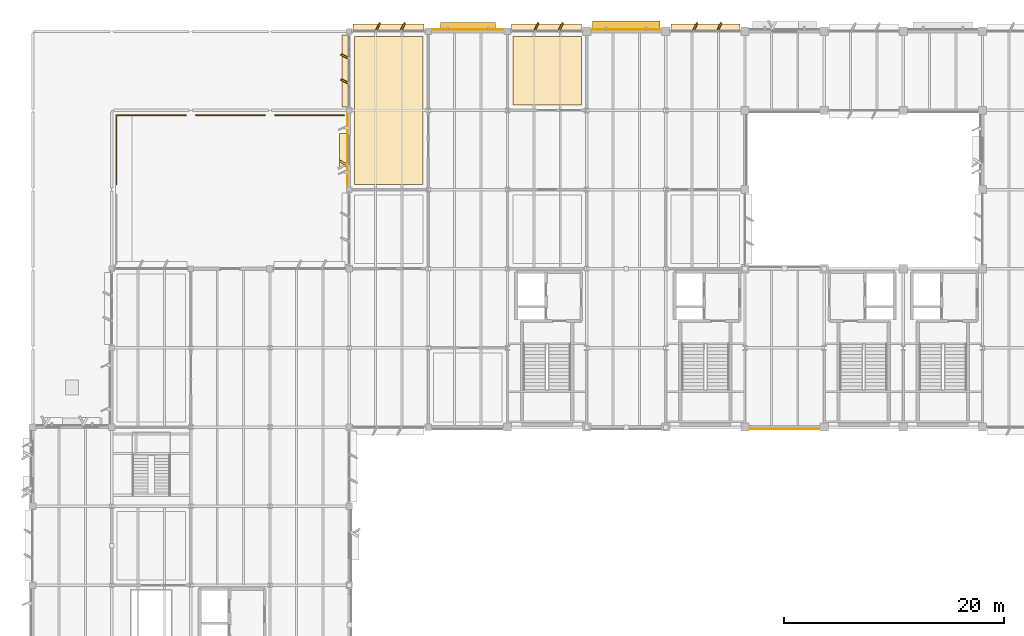
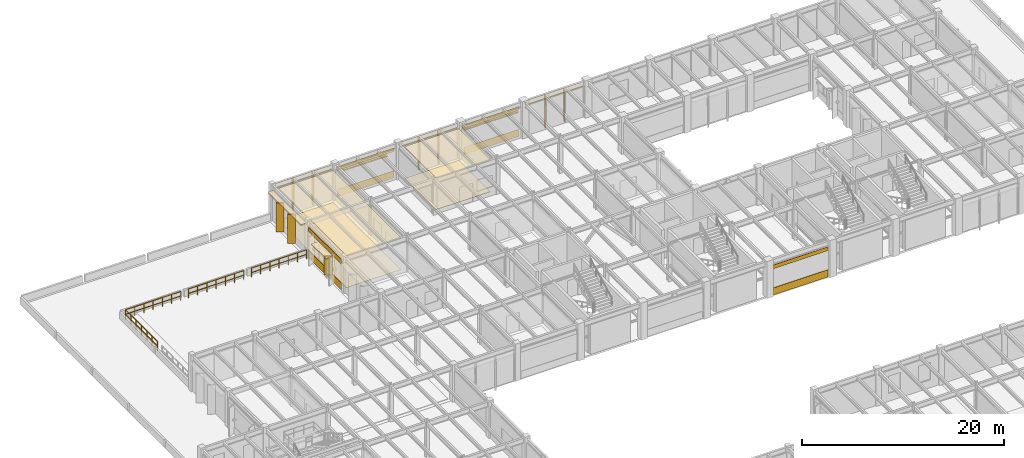
# One storey, part 88 of 92: 26 coverings, 4 railings, 2 shading devices.
"""IFC4 building model written with IfcOpenShell, lengths in metres."""

from ifc_helpers import new_model, si_unit, direction, frame, frame_2d, origin, origin_2d, place, context, subcontext, project, spatial, polyline, rectangle, circle, outline, extrude, material, layer, layer_set, type_object, element, save


model = new_model("IFC4")

# Units and contexts
model_context = context("Model", 3, precision=1e-05, world=origin(), true_north=direction((0.0, 1.0)))
body_context = subcontext(model_context, "Body", "Model", "MODEL_VIEW")
ifc_project = project(units=[si_unit("LENGTHUNIT", "METRE"), si_unit("AREAUNIT", "SQUARE_METRE"), si_unit("VOLUMEUNIT", "CUBIC_METRE"), si_unit("PLANEANGLEUNIT", "RADIAN"), si_unit("MASSUNIT", "GRAM", prefix="KILO")], contexts=[model_context])

# Site, building, storey
site_placement = place(None, origin())
site = spatial("IfcSite", under=ifc_project, at=site_placement, CompositionType="ELEMENT")
building_placement = place(site_placement, origin())
building = spatial("IfcBuilding", under=site, at=building_placement, Name="Sillqori Civic Hall", CompositionType="ELEMENT")
storey_placement = place(building_placement, frame((0.0, 0.0, 5.39990234375)))
storey = spatial("IfcBuildingStorey", under=building, at=storey_placement, Name="L02", CompositionType="ELEMENT", Elevation=5.39990234375)

# Coverings
ifc_material_1 = material(Name="Micro-Perforated Aluminium Plank Ceiling", Category="aluminium")
ifc_layer_1 = layer(ifc_material_1, 0.035888671875)
ifc_layer_set_1 = layer_set([ifc_layer_1], Name="Micro-Perforated Aluminium Plank Ceiling")
covering_type_1 = type_object("IfcCoveringType", Name="COV-CEIL-MET", PredefinedType="CEILING", material=ifc_layer_set_1)
covering_1_placement = place(storey_placement, frame((0.0, 0.0, 3.864990234375)))
element("IfcCovering", 1, at=covering_1_placement, inside=storey, type_object=covering_type_1, Name="Environmental Licensing Review Office acoustic ceiling", PredefinedType="CEILING", context=body_context, shape_type="SweptSolid", body=[
    extrude(outline(polyline([(36.47998046875, 101.280029296875), (42.719970703125, 101.280029296875), (42.719970703125, 114.719970703125), (36.47998046875, 114.719970703125), (36.47998046875, 101.280029296875)])), origin(), (0.0, 0.0, 1.0), 0.0361328125),
])
ifc_material_2 = material(Name="Andean Cedar Slatted Baffle 52", Category="timber")
ifc_layer_2 = layer(ifc_material_2, 0.052001953125)
ifc_layer_set_2 = layer_set([ifc_layer_2], Name="Andean Cedar Slatted Baffle 52")
covering_type_2 = type_object("IfcCoveringType", Name="COV-CEIL-T52", PredefinedType="CEILING", material=ifc_layer_set_2)
covering_2_placement = place(storey_placement, frame((0.0, 0.0, 3.84912109375)))
element("IfcCovering", 2, at=covering_2_placement, inside=storey, type_object=covering_type_2, Name="Municipal Cadastre GIS Mapping Studio L02-06 acoustic ceiling", PredefinedType="CEILING", context=body_context, shape_type="SweptSolid", body=[
    extrude(outline(polyline([(50.8798828125, 108.47998046875), (57.1201171875, 108.47998046875), (57.1201171875, 114.719970703125), (50.8798828125, 114.719970703125), (50.8798828125, 108.47998046875)])), origin(), (0.0, 0.0, 1.0), 0.052001953125),
])
ifc_material_3 = material(Name="Cochabamba Honed Limestone Cladding", Category="masonry")
ifc_layer_3 = layer(ifc_material_3, 0.044921875)
ifc_layer_set_3 = layer_set([ifc_layer_3], Name="Cochabamba Honed Limestone Cladding")
covering_type_3 = type_object("IfcCoveringType", Name="COV-CLAD-LIME", PredefinedType="CLADDING", material=ifc_layer_set_3)
covering_3_placement = place(storey_placement, frame((35.840087890625, 101.1298828125, 0.0400390625), z_axis=(0.0, 0.0, 1.0), x_axis=(0.0, 1.0, 0.0)))
element("IfcCovering", 3, at=covering_3_placement, inside=storey, type_object=covering_type_3, Name="L02 limestone spandrel cladding L02-05-14-W", PredefinedType="CLADDING", context=body_context, shape_type="SweptSolid", body=[
    extrude(rectangle(XDim=6.5400390625, YDim=0.044921875, at=frame_2d((3.27001953125, 0.0))), origin(), (0.0, 0.0, 1.0), 0.860107421875),
])
covering_4_placement = place(storey_placement, frame((35.840087890625, 101.1298828125, 3.22021484375), z_axis=(0.0, 0.0, 1.0), x_axis=(0.0, 1.0, 0.0)))
element("IfcCovering", 4, at=covering_4_placement, inside=storey, type_object=covering_type_3, Name="L02 limestone frieze cladding L02-05-14-W", PredefinedType="CLADDING", context=body_context, shape_type="SweptSolid", body=[
    extrude(rectangle(XDim=6.5400390625, YDim=0.044921875, at=frame_2d((3.27001953125, 0.0))), origin(), (0.0, 0.0, 1.0), 0.5068359375),
])
covering_5_placement = place(storey_placement, frame((35.8798828125, 102.97998046875, 0.830078125), z_axis=(0.0, 0.0, 1.0), x_axis=(-0.865989465428, 0.500062241894, 0.0)))
element("IfcCovering", 5, at=covering_5_placement, inside=storey, type_object=covering_type_3, Name="Sawtooth limestone angled reveal cheek L02-05-14-W.1", PredefinedType="CLADDING", context=body_context, shape_type="SweptSolid", body=[
    extrude(rectangle(XDim=0.85009765625, YDim=0.179931640625, at=frame_2d((0.425048828125, 0.0))), origin(), (0.0, 0.0, 1.0), 2.199951171875),
])
covering_6_placement = place(storey_placement, frame((35.5, 102.919921875, 2.89013671875), z_axis=(0.0, 0.0, 1.0), x_axis=(0.0, 1.0, 0.0)))
element("IfcCovering", 6, at=covering_6_placement, inside=storey, type_object=covering_type_3, Name="Sawtooth limestone window hood L02-05-14-W.1", PredefinedType="CLADDING", context=body_context, shape_type="SweptSolid", body=[
    extrude(rectangle(XDim=2.9599609375, YDim=0.780029296875, at=frame_2d((1.47998046875, 0.0))), origin(), (0.0, 0.0, 1.0), 0.139892578125),
])
covering_7_placement = place(storey_placement, frame((36.330078125, 115.52001953125, 3.51806640625), z_axis=(0.0, 0.0, 1.0), x_axis=(1.0, 0.0, 0.0)))
element("IfcCovering", 7, at=covering_7_placement, inside=storey, type_object=covering_type_3, Name="L02 curtain-wall limestone solar hood L02-05-15-N", PredefinedType="CLADDING", context=body_context, shape_type="SweptSolid", body=[
    extrude(rectangle(XDim=6.489990234375, YDim=0.679931640625, at=frame_2d((3.2451171875, 0.0))), origin(), (0.0, 0.0, 1.0), 0.179931640625),
])
for number, where, z_axis, x_axis, name in (
    (8, (38.444580078125, 115.25, 0.06005859375), (0.0, 0.0, 1.0), (0.44709226377, 0.894487846579, 0.0), "L02 curtain-wall angled stone fin L02-05-15-N.1"),
    (9, (40.70556640625, 115.25, 0.06005859375), (0.0, 0.0, 1.0), (0.44709226377, 0.894487846579, 0.0), "L02 curtain-wall angled stone fin L02-05-15-N.2"),
):
    element("IfcCovering", number, at=place(storey_placement, frame(where, z_axis=z_axis, x_axis=x_axis)), inside=storey, type_object=covering_type_3, Name=name, PredefinedType="CLADDING", context=body_context, shape_type="SweptSolid", body=[
        extrude(rectangle(XDim=0.804931640625, YDim=0.139892578125, at=frame_2d((0.40234375, 0.0))), origin(), (0.0, 0.0, 1.0), 3.4580078125),
    ])
covering_8_placement = place(storey_placement, frame((35.679931640625, 108.330078125, 3.587158203125), z_axis=(0.0, 0.0, 1.0), x_axis=(0.0, 1.0, 0.0)))
element("IfcCovering", 10, at=covering_8_placement, inside=storey, type_object=covering_type_3, Name="L02 curtain-wall limestone solar hood L02-05-15-W", PredefinedType="CLADDING", context=body_context, shape_type="SweptSolid", body=[
    extrude(rectangle(XDim=6.5400390625, YDim=0.679931640625, at=frame_2d((3.27001953125, 0.0))), origin(), (0.0, 0.0, 1.0), 0.179931640625),
])
for number, where, z_axis, x_axis, name in (
    (11, (35.949951171875, 110.4609375, 0.06005859375), (0.0, 0.0, 1.0), (-0.894366527193, 0.447334902547, 0.0), "L02 curtain-wall angled stone fin L02-05-15-W.1"),
    (12, (35.949951171875, 112.739013671875, 0.06005859375), (0.0, 0.0, 1.0), (-0.894366527193, 0.447334902547, 0.0), "L02 curtain-wall angled stone fin L02-05-15-W.2"),
):
    element("IfcCovering", number, at=place(storey_placement, frame(where, z_axis=z_axis, x_axis=x_axis)), inside=storey, type_object=covering_type_3, Name=name, PredefinedType="CLADDING", context=body_context, shape_type="SweptSolid", body=[
        extrude(rectangle(XDim=0.804931640625, YDim=0.139892578125, at=frame_2d((0.40234375, 0.0))), origin(), (0.0, 0.0, 1.0), 3.527099609375),
    ])
covering_9_placement = place(storey_placement, frame((43.580078125, 115.360107421875, 0.0400390625), z_axis=(0.0, 0.0, 1.0), x_axis=(1.0, 0.0, 0.0)))
element("IfcCovering", 13, at=covering_9_placement, inside=storey, type_object=covering_type_3, Name="L02 limestone spandrel cladding L02-06-15-N", PredefinedType="CLADDING", context=body_context, shape_type="SweptSolid", body=[
    extrude(rectangle(XDim=6.43994140625, YDim=0.044921875, at=frame_2d((3.219970703125, 0.0))), origin(), (0.0, 0.0, 1.0), 0.860107421875),
])
covering_10_placement = place(storey_placement, frame((43.580078125, 115.360107421875, 3.22021484375), z_axis=(0.0, 0.0, 1.0), x_axis=(1.0, 0.0, 0.0)))
element("IfcCovering", 14, at=covering_10_placement, inside=storey, type_object=covering_type_3, Name="L02 limestone frieze cladding L02-06-15-N", PredefinedType="CLADDING", context=body_context, shape_type="SweptSolid", body=[
    extrude(rectangle(XDim=6.43994140625, YDim=0.044921875, at=frame_2d((3.219970703125, 0.0))), origin(), (0.0, 0.0, 1.0), 0.43798828125),
])
covering_11_placement = place(storey_placement, frame((50.780029296875, 115.52001953125, 3.51806640625), z_axis=(0.0, 0.0, 1.0), x_axis=(1.0, 0.0, 0.0)))
element("IfcCovering", 15, at=covering_11_placement, inside=storey, type_object=covering_type_3, Name="L02 curtain-wall limestone solar hood L02-07-15-N", PredefinedType="CLADDING", context=body_context, shape_type="SweptSolid", body=[
    extrude(rectangle(XDim=6.364990234375, YDim=0.679931640625, at=frame_2d((3.1826171875, 0.0))), origin(), (0.0, 0.0, 1.0), 0.179931640625),
])
for number, where, z_axis, x_axis, name in (
    (16, (52.853271484375, 115.25, 0.06005859375), (0.0, 0.0, 1.0), (0.447334902547, 0.894366527193, 0.0), "L02 curtain-wall angled stone fin L02-07-15-N.1"),
    (17, (55.07177734375, 115.25, 0.06005859375), (0.0, 0.0, 1.0), (0.447334902547, 0.894366527193, 0.0), "L02 curtain-wall angled stone fin L02-07-15-N.2"),
):
    element("IfcCovering", number, at=place(storey_placement, frame(where, z_axis=z_axis, x_axis=x_axis)), inside=storey, type_object=covering_type_3, Name=name, PredefinedType="CLADDING", context=body_context, shape_type="SweptSolid", body=[
        extrude(rectangle(XDim=0.804931640625, YDim=0.139892578125, at=frame_2d((0.40234375, 0.0))), origin(), (0.0, 0.0, 1.0), 3.4580078125),
    ])
covering_12_placement = place(storey_placement, frame((58.054931640625, 115.360107421875, 0.0400390625), z_axis=(0.0, 0.0, 1.0), x_axis=(1.0, 0.0, 0.0)))
element("IfcCovering", 18, at=covering_12_placement, inside=storey, type_object=covering_type_3, Name="L02 limestone spandrel cladding L02-08-15-N", PredefinedType="CLADDING", context=body_context, shape_type="SweptSolid", body=[
    extrude(rectangle(XDim=6.2900390625, YDim=0.044921875, at=frame_2d((3.14501953125, 0.0))), origin(), (0.0, 0.0, 1.0), 0.860107421875),
])
covering_13_placement = place(storey_placement, frame((58.054931640625, 115.360107421875, 3.22021484375), z_axis=(0.0, 0.0, 1.0), x_axis=(1.0, 0.0, 0.0)))
element("IfcCovering", 19, at=covering_13_placement, inside=storey, type_object=covering_type_3, Name="L02 limestone frieze cladding L02-08-15-N", PredefinedType="CLADDING", context=body_context, shape_type="SweptSolid", body=[
    extrude(rectangle(XDim=6.2900390625, YDim=0.044921875, at=frame_2d((3.14501953125, 0.0))), origin(), (0.0, 0.0, 1.0), 0.43798828125),
])
covering_14_placement = place(storey_placement, frame((65.2548828125, 115.52001953125, 3.51806640625), z_axis=(0.0, 0.0, 1.0), x_axis=(1.0, 0.0, 0.0)))
element("IfcCovering", 20, at=covering_14_placement, inside=storey, type_object=covering_type_3, Name="L02 curtain-wall limestone solar hood L02-09-15-N", PredefinedType="CLADDING", context=body_context, shape_type="SweptSolid", body=[
    extrude(rectangle(XDim=6.2900390625, YDim=0.679931640625, at=frame_2d((3.14501953125, 0.0))), origin(), (0.0, 0.0, 1.0), 0.179931640625),
])
for number, where, z_axis, x_axis, name in (
    (21, (67.303466796875, 115.25, 0.06005859375), (0.0, 0.0, 1.0), (0.447334902547, 0.894366527193, 0.0), "L02 curtain-wall angled stone fin L02-09-15-N.1"),
    (22, (69.49658203125, 115.25, 0.06005859375), (0.0, 0.0, 1.0), (0.44709226377, 0.894487846579, 0.0), "L02 curtain-wall angled stone fin L02-09-15-N.2"),
):
    element("IfcCovering", number, at=place(storey_placement, frame(where, z_axis=z_axis, x_axis=x_axis)), inside=storey, type_object=covering_type_3, Name=name, PredefinedType="CLADDING", context=body_context, shape_type="SweptSolid", body=[
        extrude(rectangle(XDim=0.804931640625, YDim=0.139892578125, at=frame_2d((0.40234375, 0.0))), origin(), (0.0, 0.0, 1.0), 3.4580078125),
    ])
covering_15_placement = place(storey_placement, frame((78.7451171875, 79.0400390625, 0.0400390625), z_axis=(0.0, 0.0, 1.0), x_axis=(-1.0, 0.0, 0.0)))
element("IfcCovering", 23, at=covering_15_placement, inside=storey, type_object=covering_type_3, Name="L02 limestone spandrel cladding L02-10-11-S", PredefinedType="CLADDING", context=body_context, shape_type="SweptSolid", body=[
    extrude(rectangle(XDim=6.2900390625, YDim=0.044921875, at=frame_2d((3.14501953125, 0.0))), origin(), (0.0, 0.0, 1.0), 0.860107421875),
])
covering_16_placement = place(storey_placement, frame((78.7451171875, 79.0400390625, 3.22021484375), z_axis=(0.0, 0.0, 1.0), x_axis=(-1.0, 0.0, 0.0)))
element("IfcCovering", 24, at=covering_16_placement, inside=storey, type_object=covering_type_3, Name="L02 limestone frieze cladding L02-10-11-S", PredefinedType="CLADDING", context=body_context, shape_type="SweptSolid", body=[
    extrude(rectangle(XDim=6.2900390625, YDim=0.044921875, at=frame_2d((3.14501953125, 0.0))), origin(), (0.0, 0.0, 1.0), 0.43798828125),
])
ifc_material_4 = material(Name="Dust-Sealed Heavy-Duty Archive Epoxy", Category="resin")
ifc_layer_4 = layer(ifc_material_4, 0.014892578125)
ifc_layer_set_4 = layer_set([ifc_layer_4], Name="Dust-Sealed Heavy-Duty Archive Epoxy")
covering_type_4 = type_object("IfcCoveringType", Name="COV-FLR-EPX", PredefinedType="FLOORING", material=ifc_layer_set_4)
covering_17_placement = place(storey_placement, origin())
element("IfcCovering", 25, at=covering_17_placement, inside=storey, type_object=covering_type_4, Name="Environmental Licensing Review Office floor finish", PredefinedType="FLOORING", context=body_context, shape_type="SweptSolid", body=[
    extrude(outline(polyline([(36.47998046875, 101.280029296875), (42.719970703125, 101.280029296875), (42.719970703125, 114.719970703125), (36.47998046875, 114.719970703125), (36.47998046875, 101.280029296875)])), origin(), (0.0, 0.0, 1.0), 0.01513671875),
])
ifc_material_5 = material(Name="Heavy Hall Basalt Terrazzo 56", Category="masonry")
ifc_layer_5 = layer(ifc_material_5, 0.055908203125)
ifc_layer_set_5 = layer_set([ifc_layer_5], Name="Heavy Hall Basalt Terrazzo 56")
covering_type_5 = type_object("IfcCoveringType", Name="COV-FLR-S56", PredefinedType="FLOORING", material=ifc_layer_set_5)
covering_18_placement = place(storey_placement, origin())
element("IfcCovering", 26, at=covering_18_placement, inside=storey, type_object=covering_type_5, Name="Municipal Cadastre GIS Mapping Studio L02-06 floor finish", PredefinedType="FLOORING", context=body_context, shape_type="SweptSolid", body=[
    extrude(outline(polyline([(50.8798828125, 108.47998046875), (57.1201171875, 108.47998046875), (57.1201171875, 114.719970703125), (50.8798828125, 114.719970703125), (50.8798828125, 108.47998046875)])), origin(), (0.0, 0.0, 1.0), 0.05615234375),
])

# Railings
ifc_material_6 = material(Name="Architectural Bronze and Tempered Glass Balustrade", Category="glass")
ifc_layer_6 = layer(ifc_material_6, 0.080078125)
ifc_layer_set_6 = layer_set([ifc_layer_6], Name="Architectural Bronze and Tempered Glass Balustrade")
railing_type = type_object("IfcRailingType", Name="RLG-BALU-115", PredefinedType="BALUSTRADE", material=ifc_layer_set_6)
railing_1_placement = place(storey_placement, frame((14.840087890625, 107.56005859375, 0.0)))
element("IfcRailing", 27, at=railing_1_placement, inside=storey, type_object=railing_type, Name="North-West Piedmont Planted Terrace perimeter guard N-01", PredefinedType="BALUSTRADE", context=body_context, shape_type="SweptSolid", body=[
    extrude(circle(Radius=0.02392578125, at=origin_2d()), frame((0.0, 0.0, 1.1259765625), z_axis=(1.0, 0.0, 0.0), x_axis=(0.0, 1.0, 0.0)), (0.0, 0.0, 1.0), 6.31982421875),
    extrude(circle(Radius=0.02392578125, at=origin_2d()), frame((0.0, 0.0, 0.574951171875), z_axis=(1.0, 0.0, 0.0), x_axis=(0.0, 1.0, 0.0)), (0.0, 0.0, 1.0), 6.31982421875),
    extrude(circle(Radius=0.02099609375, at=origin_2d()), origin(), (0.0, 0.0, 1.0), 1.101806640625),
    extrude(circle(Radius=0.02099609375, at=origin_2d()), frame((1.05322265625, 0.0, 0.0)), (0.0, 0.0, 1.0), 1.101806640625),
    extrude(circle(Radius=0.02099609375, at=origin_2d()), frame((2.106689453125, 0.0, 0.0)), (0.0, 0.0, 1.0), 1.101806640625),
    extrude(circle(Radius=0.02099609375, at=origin_2d()), frame((3.159912109375, 0.0, 0.0)), (0.0, 0.0, 1.0), 1.101806640625),
    extrude(circle(Radius=0.02099609375, at=origin_2d()), frame((4.213134765625, 0.0, 0.0)), (0.0, 0.0, 1.0), 1.101806640625),
    extrude(circle(Radius=0.02099609375, at=origin_2d()), frame((5.2666015625, 0.0, 0.0)), (0.0, 0.0, 1.0), 1.101806640625),
    extrude(circle(Radius=0.02099609375, at=origin_2d()), frame((6.31982421875, 0.0, 0.0)), (0.0, 0.0, 1.0), 1.101806640625),
])
for number, where, name in (
    (28, (22.0400390625, 107.56005859375, 0.0), "North-West Piedmont Planted Terrace perimeter guard N-02"),
    (29, (29.239990234375, 107.56005859375, 0.0), "North-West Piedmont Planted Terrace perimeter guard N-03"),
):
    element("IfcRailing", number, at=place(storey_placement, frame(where)), inside=storey, type_object=railing_type, Name=name, PredefinedType="BALUSTRADE", context=body_context, shape_type="SweptSolid", body=[
        extrude(circle(Radius=0.02392578125, at=origin_2d()), frame((0.0, 0.0, 1.1259765625), z_axis=(1.0, 0.0, 0.0), x_axis=(0.0, 1.0, 0.0)), (0.0, 0.0, 1.0), 6.320068359375),
        extrude(circle(Radius=0.02392578125, at=origin_2d()), frame((0.0, 0.0, 0.574951171875), z_axis=(1.0, 0.0, 0.0), x_axis=(0.0, 1.0, 0.0)), (0.0, 0.0, 1.0), 6.320068359375),
        extrude(circle(Radius=0.02099609375, at=origin_2d()), origin(), (0.0, 0.0, 1.0), 1.101806640625),
        extrude(circle(Radius=0.02099609375, at=origin_2d()), frame((1.05322265625, 0.0, 0.0)), (0.0, 0.0, 1.0), 1.101806640625),
        extrude(circle(Radius=0.02099609375, at=origin_2d()), frame((2.106689453125, 0.0, 0.0)), (0.0, 0.0, 1.0), 1.101806640625),
        extrude(circle(Radius=0.02099609375, at=origin_2d()), frame((3.16015625, 0.0, 0.0)), (0.0, 0.0, 1.0), 1.101806640625),
        extrude(circle(Radius=0.02099609375, at=origin_2d()), frame((4.21337890625, 0.0, 0.0)), (0.0, 0.0, 1.0), 1.101806640625),
        extrude(circle(Radius=0.02099609375, at=origin_2d()), frame((5.2666015625, 0.0, 0.0)), (0.0, 0.0, 1.0), 1.101806640625),
        extrude(circle(Radius=0.02099609375, at=origin_2d()), frame((6.320068359375, 0.0, 0.0)), (0.0, 0.0, 1.0), 1.101806640625),
    ])
railing_2_placement = place(storey_placement, frame((14.840087890625, 101.239990234375, 0.0)))
element("IfcRailing", 30, at=railing_2_placement, inside=storey, type_object=railing_type, Name="North-West Piedmont Planted Terrace perimeter guard W-05", PredefinedType="BALUSTRADE", context=body_context, shape_type="SweptSolid", body=[
    extrude(circle(Radius=0.02392578125, at=origin_2d()), frame((0.0, 0.0, 1.1259765625), z_axis=(0.0, 1.0, 0.0), x_axis=(-1.0, 0.0, 0.0)), (0.0, 0.0, 1.0), 6.320068359375),
    extrude(circle(Radius=0.02392578125, at=origin_2d()), frame((0.0, 0.0, 0.574951171875), z_axis=(0.0, 1.0, 0.0), x_axis=(-1.0, 0.0, 0.0)), (0.0, 0.0, 1.0), 6.320068359375),
    extrude(circle(Radius=0.02099609375, at=origin_2d()), origin(), (0.0, 0.0, 1.0), 1.101806640625),
    extrude(circle(Radius=0.02099609375, at=origin_2d()), frame((0.0, 1.05322265625, 0.0)), (0.0, 0.0, 1.0), 1.101806640625),
    extrude(circle(Radius=0.02099609375, at=origin_2d()), frame((0.0, 2.106689453125, 0.0)), (0.0, 0.0, 1.0), 1.101806640625),
    extrude(circle(Radius=0.02099609375, at=origin_2d()), frame((0.0, 3.16015625, 0.0)), (0.0, 0.0, 1.0), 1.101806640625),
    extrude(circle(Radius=0.02099609375, at=origin_2d()), frame((0.0, 4.21337890625, 0.0)), (0.0, 0.0, 1.0), 1.101806640625),
    extrude(circle(Radius=0.02099609375, at=origin_2d()), frame((0.0, 5.2666015625, 0.0)), (0.0, 0.0, 1.0), 1.101806640625),
    extrude(circle(Radius=0.02099609375, at=origin_2d()), frame((0.0, 6.320068359375, 0.0)), (0.0, 0.0, 1.0), 1.101806640625),
])

# Shading devices
ifc_material_7 = material(Name="Anodized Aluminium Solar Control Louvre", Category="aluminium")
shading_device_type_1 = type_object("IfcShadingDeviceType", Name="SHD-HOOD-500", PredefinedType="JALOUSIE", material=ifc_material_7)
shading_device_1_placement = place(storey_placement, frame((46.800048828125, 115.64990234375, 2.8701171875), z_axis=(0.0, 0.0, 1.0), x_axis=(1.0, 0.0, 0.0)))
element("IfcShadingDevice", 31, at=shading_device_1_placement, inside=storey, type_object=shading_device_type_1, Name="L02 north solar hood L02-06-15-N", PredefinedType="JALOUSIE", context=body_context, shape_type="SweptSolid", body=[
    extrude(rectangle(XDim=5.0, YDim=0.64990234375, at=origin_2d()), origin(), (0.0, 0.0, 1.0), 0.139892578125),
])
shading_device_type_2 = type_object("IfcShadingDeviceType", Name="SHD-HOOD-620", PredefinedType="JALOUSIE", material=ifc_material_7)
shading_device_2_placement = place(storey_placement, frame((61.199951171875, 115.72509765625, 2.919921875), z_axis=(0.0, 0.0, 1.0), x_axis=(1.0, 0.0, 0.0)))
element("IfcShadingDevice", 32, at=shading_device_2_placement, inside=storey, type_object=shading_device_type_2, Name="L02 north solar hood L02-08-15-N", PredefinedType="JALOUSIE", context=body_context, shape_type="SweptSolid", body=[
    extrude(rectangle(XDim=6.14990234375, YDim=0.800048828125, at=origin_2d()), origin(), (0.0, 0.0, 1.0), 0.139892578125),
])

save(model, "model.ifc")
